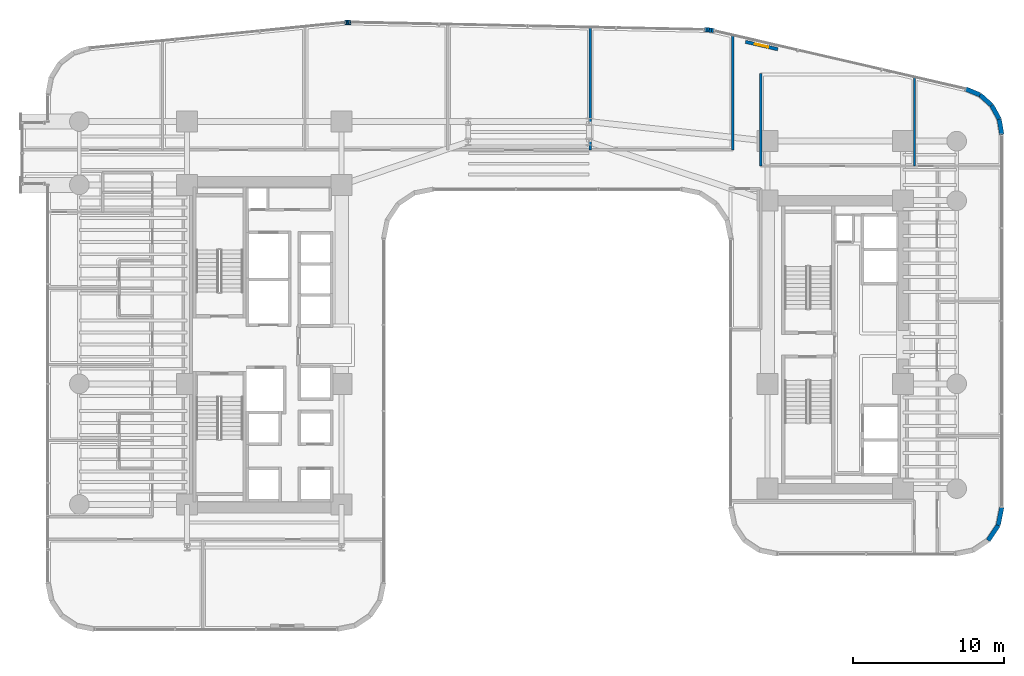
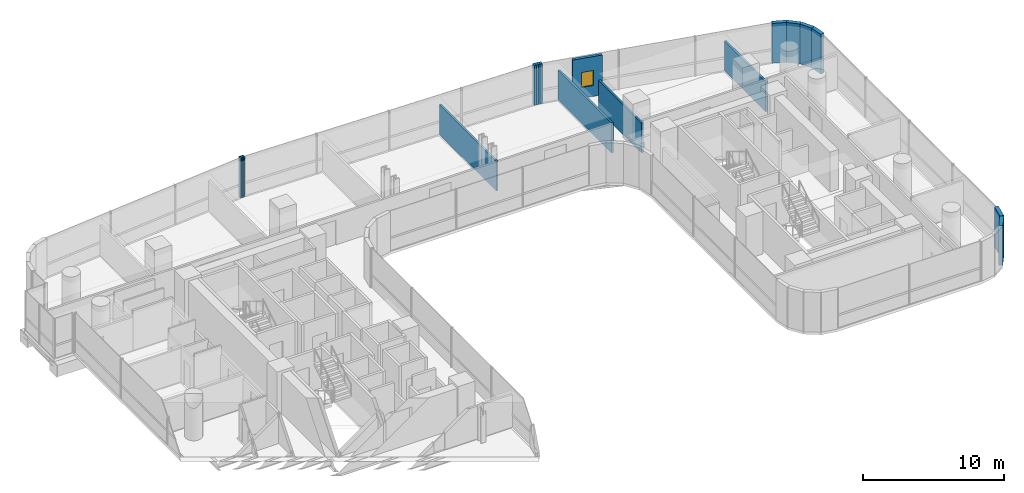
# One storey, part 35 of 40: 19 walls, 1 window, 1 opening.
"""IFC4 building model written with IfcOpenShell, lengths in metres."""

from ifc_helpers import new_model, si_unit, direction, frame, frame_2d, origin, place, context, subcontext, project, spatial, rectangle, extrude, material, layer, layer_set, type_object, element, fill, save


model = new_model("IFC4")

# Units and contexts
model_context = context("Model", 3, precision=1e-05, world=origin(), true_north=direction((0.0, 1.0)))
body_context = subcontext(model_context, "Body", "Model", "MODEL_VIEW")
ifc_project = project(units=[si_unit("LENGTHUNIT", "METRE"), si_unit("AREAUNIT", "SQUARE_METRE"), si_unit("VOLUMEUNIT", "CUBIC_METRE"), si_unit("PLANEANGLEUNIT", "RADIAN"), si_unit("MASSUNIT", "GRAM", prefix="KILO")], contexts=[model_context])

# Site, building, storey
site_placement = place(None, origin())
site = spatial("IfcSite", under=ifc_project, at=site_placement, CompositionType="ELEMENT")
building_placement = place(site_placement, origin())
building = spatial("IfcBuilding", under=site, at=building_placement, Name="Valdorenza Pilgrim Sanctuary Tower", CompositionType="ELEMENT")
storey_placement = place(building_placement, frame((0.0, 0.0, 81.5)))
storey = spatial("IfcBuildingStorey", under=building, at=storey_placement, Name="L20", CompositionType="ELEMENT", Elevation=81.5)

# Walls
ifc_material_1 = material(Name="Acoustic twin-stud gypsum partition", Category="gypsum")
ifc_layer_1 = layer(ifc_material_1, 0.159912109375, Name="Acoustic twin-stud gypsum partition")
ifc_layer_set_1 = layer_set([ifc_layer_1], Name="Acoustic twin-stud gypsum partition")
wall_type_1 = type_object("IfcWallType", Name="WAL-COR-160", PredefinedType="PARTITIONING", material=ifc_layer_set_1)
wall_1_placement = place(storey_placement, frame((13.550048828125, 12.919921875, 0.0), z_axis=(0.0, 0.0, 1.0), x_axis=(0.0, 1.0, 0.0)))
element("IfcWall", 1, at=wall_1_placement, inside=storey, type_object=wall_type_1, Name="L20 North Band East Closure", PredefinedType="PARTITIONING", context=body_context, shape_type="SweptSolid", body=[
    extrude(rectangle(XDim=7.609375, YDim=0.159912109375, at=frame_2d((3.8046875, 0.0))), origin(), (0.0, 0.0, 1.0), 2.5830078125),
])
wall_2_placement = place(storey_placement, frame((15.39990234375, 11.85009765625, 0.0), z_axis=(0.0, 0.0, 1.0), x_axis=(0.0, 1.0, 0.0)))
element("IfcWall", 2, at=wall_2_placement, inside=storey, type_object=wall_type_1, Name="L20 Wing B North West Wall", PredefinedType="PARTITIONING", context=body_context, shape_type="SweptSolid", body=[
    extrude(rectangle(XDim=6.14990234375, YDim=0.159912109375, at=frame_2d((3.074951171875, 0.0))), origin(), (0.0, 0.0, 1.0), 2.5830078125),
])
wall_3_placement = place(storey_placement, frame((25.60009765625, 11.85009765625, 0.0), z_axis=(0.0, 0.0, 1.0), x_axis=(0.0, 1.0, 0.0)))
element("IfcWall", 3, at=wall_3_placement, inside=storey, type_object=wall_type_1, Name="L20 Wing B North East Wall", PredefinedType="PARTITIONING", context=body_context, shape_type="SweptSolid", body=[
    extrude(rectangle(XDim=5.8984375, YDim=0.159912109375, at=frame_2d((2.94921875, 0.0))), origin(), (0.0, 0.0, 1.0), 2.5830078125),
])
ifc_material_2 = material(Name="Honed travertine limestone", Category="masonry")
ifc_layer_2 = layer(ifc_material_2, 0.300048828125, Name="Honed travertine limestone")
ifc_layer_set_2 = layer_set([ifc_layer_2], Name="Honed travertine limestone")
wall_type_2 = type_object("IfcWallType", Name="WAL-EXT-300", PredefinedType="SOLIDWALL", material=ifc_layer_set_2)
wall_4_placement = place(storey_placement, frame((-12.181884765625, 21.371337890625, 0.0), z_axis=(0.0, 0.0, 1.0), x_axis=(0.996527790842, 0.08326080759, 0.0)))
element("IfcWall", 4, at=wall_4_placement, inside=storey, type_object=wall_type_2, Name="L20 Rounded Wind-Corner Stone Pier 7", PredefinedType="SOLIDWALL", context=body_context, shape_type="SweptSolid", body=[
    extrude(rectangle(XDim=0.09375, YDim=0.300048828125, at=frame_2d((0.046875, 0.0))), origin(), (0.0, 0.0, 1.0), 3.4599609375),
])
wall_5_placement = place(storey_placement, frame((-12.08837890625, 21.379150390625, 0.0), z_axis=(0.0, 0.0, 1.0), x_axis=(0.998476480444, 0.055178963393, 0.0)))
element("IfcWall", 5, at=wall_5_placement, inside=storey, type_object=wall_type_2, Name="L20 Rounded Wind-Corner Stone Pier 8", PredefinedType="SOLIDWALL", context=body_context, shape_type="SweptSolid", body=[
    extrude(rectangle(XDim=0.093017578125, YDim=0.300048828125, at=frame_2d((0.04638671875, 0.0))), origin(), (0.0, 0.0, 1.0), 3.4599609375),
])
wall_6_placement = place(storey_placement, frame((-11.99560546875, 21.38427734375, 0.0), z_axis=(0.0, 0.0, 1.0), x_axis=(0.999722573757, 0.023553673204, 0.0)))
element("IfcWall", 6, at=wall_6_placement, inside=storey, type_object=wall_type_2, Name="L20 Rounded Wind-Corner Stone Pier 9", PredefinedType="SOLIDWALL", context=body_context, shape_type="SweptSolid", body=[
    extrude(rectangle(XDim=0.09326171875, YDim=0.300048828125, at=frame_2d((0.046630859375, 0.0))), origin(), (0.0, 0.0, 1.0), 3.4599609375),
])
wall_7_placement = place(storey_placement, frame((-11.90234375, 21.386474609375, 0.0), z_axis=(0.0, 0.0, 1.0), x_axis=(0.999986507273, -0.005194735103, 0.0)))
element("IfcWall", 7, at=wall_7_placement, inside=storey, type_object=wall_type_2, Name="L20 Rounded Wind-Corner Stone Pier 10", PredefinedType="SOLIDWALL", context=body_context, shape_type="SweptSolid", body=[
    extrude(rectangle(XDim=0.093994140625, YDim=0.300048828125, at=frame_2d((0.046875, 0.0))), origin(), (0.0, 0.0, 1.0), 3.4599609375),
])
wall_8_placement = place(storey_placement, frame((11.665771484375, 20.89697265625, 0.0), z_axis=(0.0, 0.0, 1.0), x_axis=(0.998885297239, -0.047203421059, 0.0)))
element("IfcWall", 8, at=wall_8_placement, inside=storey, type_object=wall_type_2, Name="L20 Rounded Wind-Corner Stone Pier 12", PredefinedType="SOLIDWALL", context=body_context, shape_type="SweptSolid", body=[
    extrude(rectangle(XDim=0.160400390625, YDim=0.300048828125, at=frame_2d((0.080078125, 0.0))), origin(), (0.0, 0.0, 1.0), 3.4599609375),
])
wall_9_placement = place(storey_placement, frame((11.825927734375, 20.889404296875, 0.0), z_axis=(0.0, 0.0, 1.0), x_axis=(0.995172891136, -0.098137234257, 0.0)))
element("IfcWall", 9, at=wall_9_placement, inside=storey, type_object=wall_type_2, Name="L20 Rounded Wind-Corner Stone Pier 13", PredefinedType="SOLIDWALL", context=body_context, shape_type="SweptSolid", body=[
    extrude(rectangle(XDim=0.1591796875, YDim=0.300048828125, at=frame_2d((0.07958984375, 0.0))), origin(), (0.0, 0.0, 1.0), 3.4599609375),
])
wall_10_placement = place(storey_placement, frame((11.984375, 20.873779296875, 0.0), z_axis=(0.0, 0.0, 1.0), x_axis=(0.988846069207, -0.148941100486, 0.0)))
element("IfcWall", 10, at=wall_10_placement, inside=storey, type_object=wall_type_2, Name="L20 Rounded Wind-Corner Stone Pier 14", PredefinedType="SOLIDWALL", context=body_context, shape_type="SweptSolid", body=[
    extrude(rectangle(XDim=0.158935546875, YDim=0.300048828125, at=frame_2d((0.07958984375, 0.0))), origin(), (0.0, 0.0, 1.0), 3.4599609375),
])
wall_11_placement = place(storey_placement, frame((12.1416015625, 20.85009765625, 0.0), z_axis=(0.0, 0.0, 1.0), x_axis=(0.979991950448, -0.19903712482, 0.0)))
element("IfcWall", 11, at=wall_11_placement, inside=storey, type_object=wall_type_2, Name="L20 Rounded Wind-Corner Stone Pier 15", PredefinedType="SOLIDWALL", context=body_context, shape_type="SweptSolid", body=[
    extrude(rectangle(XDim=0.16064453125, YDim=0.300048828125, at=frame_2d((0.080322265625, 0.0))), origin(), (0.0, 0.0, 1.0), 3.4599609375),
])

# Wall, opening, window
wall_12_placement = place(storey_placement, frame((14.388671875, 20.089599609375, 0.0), z_axis=(0.0, 0.0, 1.0), x_axis=(0.974400545997, -0.224818984875, 0.0)))
wall_12 = element("IfcWall", 12, at=wall_12_placement, inside=storey, type_object=wall_type_2, Name="L20 Operable Ventilation Sash Jamb Pier", PredefinedType="SOLIDWALL", context=body_context, shape_type="SweptSolid", body=[
    extrude(rectangle(XDim=2.2001953125, YDim=0.219970703125, at=frame_2d((1.10009765625, 0.0))), origin(), (0.0, 0.0, 1.0), 3.4599609375),
])
opening_placement = place(wall_12_placement, frame((0.64990234375, 0.0, 0.949951171875)))
opening = element("IfcOpeningElement", 13, at=opening_placement, cuts=wall_12, Name="Opening WN-OP1", PredefinedType="OPENING", context=body_context, shape_type="SweptSolid", body=[
    extrude(rectangle(XDim=0.89990234375, YDim=1.300048828125, at=frame_2d((0.449951171875, 0.64990234375))), frame((0.0, 0.125, 0.0), z_axis=(0.0, -1.0, 0.0), x_axis=(1.0, 0.0, 0.0)), (0.0, 0.0, 1.0), 0.249755859375),
])
ifc_material_3 = material(Name="Ceramic-fritted low-E IGU glazing", Category="glass")
window_type = type_object("IfcWindowType", Name="WIN-OPN-900", PartitioningType="SINGLE_PANEL", PredefinedType="WINDOW", material=ifc_material_3)
window_placement = place(opening_placement, origin())
window = element("IfcWindow", 14, at=window_placement, inside=storey, type_object=window_type, Name="L20 Parallel-Pop-Out Operable Facade Panel", OverallHeight=1.300048828125, OverallWidth=0.89990234375, PartitioningType="SINGLE_PANEL", PredefinedType="WINDOW", context=body_context, shape_type="SweptSolid", body=[
    extrude(rectangle(XDim=0.89990234375, YDim=1.300048828125, at=frame_2d((0.449951171875, 0.64990234375))), frame((0.0, 0.030029296875, 0.0), z_axis=(0.0, -1.0, 0.0), x_axis=(1.0, 0.0, 0.0)), (0.0, 0.0, 1.0), 0.06005859375),
])
fill(opening, window)

# Walls
wall_13_placement = place(storey_placement, frame((28.98583984375, 16.96728515625, 0.0), z_axis=(0.0, 0.0, 1.0), x_axis=(0.923083852684, -0.384598753136, 0.0)))
element("IfcWall", 15, at=wall_13_placement, inside=storey, type_object=wall_type_2, Name="L20 Rounded Wind-Corner Stone Pier 17", PredefinedType="SOLIDWALL", context=body_context, shape_type="SweptSolid", body=[
    extrude(rectangle(XDim=1.042236328125, YDim=0.300048828125, at=frame_2d((0.52099609375, 0.0))), origin(), (0.0, 0.0, 1.0), 3.4599609375),
])
wall_14_placement = place(storey_placement, frame((29.947998046875, 16.56640625, 0.0), z_axis=(0.0, 0.0, 1.0), x_axis=(0.744585645533, -0.66752694063, 0.0)))
element("IfcWall", 16, at=wall_14_placement, inside=storey, type_object=wall_type_2, Name="L20 Rounded Wind-Corner Stone Pier 18", PredefinedType="SOLIDWALL", context=body_context, shape_type="SweptSolid", body=[
    extrude(rectangle(XDim=1.032958984375, YDim=0.300048828125, at=frame_2d((0.5166015625, 0.0))), origin(), (0.0, 0.0, 1.0), 3.4599609375),
])
wall_15_placement = place(storey_placement, frame((30.717041015625, 15.876953125, 0.0), z_axis=(0.0, 0.0, 1.0), x_axis=(0.482971098131, -0.875636293429, 0.0)))
element("IfcWall", 17, at=wall_15_placement, inside=storey, type_object=wall_type_2, Name="L20 Rounded Wind-Corner Stone Pier 19", PredefinedType="SOLIDWALL", context=body_context, shape_type="SweptSolid", body=[
    extrude(rectangle(XDim=1.03271484375, YDim=0.300048828125, at=frame_2d((0.516357421875, 0.0))), origin(), (0.0, 0.0, 1.0), 3.4599609375),
])
wall_16_placement = place(storey_placement, frame((31.2158203125, 14.97265625, 0.0), z_axis=(0.0, 0.0, 1.0), x_axis=(0.167019462117, -0.985953598946, 0.0)))
element("IfcWall", 18, at=wall_16_placement, inside=storey, type_object=wall_type_2, Name="L20 Rounded Wind-Corner Stone Pier 20", PredefinedType="SOLIDWALL", context=body_context, shape_type="SweptSolid", body=[
    extrude(rectangle(XDim=1.042236328125, YDim=0.300048828125, at=frame_2d((0.52099609375, 0.0))), origin(), (0.0, 0.0, 1.0), 3.4599609375),
])
wall_17_placement = place(storey_placement, frame((31.389892578125, -10.789306640625, 0.0), z_axis=(0.0, 0.0, 1.0), x_axis=(-0.194996050505, -0.980804027463, 0.0)))
element("IfcWall", 19, at=wall_17_placement, inside=storey, type_object=wall_type_2, Name="L20 Rounded Wind-Corner Stone Pier 22", PredefinedType="SOLIDWALL", context=body_context, shape_type="SweptSolid", body=[
    extrude(rectangle(XDim=1.2158203125, YDim=0.300048828125, at=frame_2d((0.60791015625, 0.0))), origin(), (0.0, 0.0, 1.0), 3.4599609375),
])
wall_18_placement = place(storey_placement, frame((31.15283203125, -11.981689453125, 0.0), z_axis=(0.0, 0.0, 1.0), x_axis=(-0.555635100982, -0.831426265255, 0.0)))
element("IfcWall", 20, at=wall_18_placement, inside=storey, type_object=wall_type_2, Name="L20 Rounded Wind-Corner Stone Pier 23", PredefinedType="SOLIDWALL", context=body_context, shape_type="SweptSolid", body=[
    extrude(rectangle(XDim=1.204833984375, YDim=0.300048828125, at=frame_2d((0.6025390625, 0.0))), origin(), (0.0, 0.0, 1.0), 3.4599609375),
])
ifc_layer_3 = layer(ifc_material_1, 0.14990234375, Name="Acoustic twin-stud gypsum partition")
ifc_layer_set_3 = layer_set([ifc_layer_3], Name="Acoustic twin-stud gypsum partition")
wall_type_3 = type_object("IfcWallType", Name="WAL-UNT-150", PredefinedType="PARTITIONING", material=ifc_layer_set_3)
wall_19_placement = place(storey_placement, frame((4.092041015625, 12.919921875, 0.0), z_axis=(0.0, 0.0, 1.0), x_axis=(0.0, 1.0, 0.0)))
element("IfcWall", 21, at=wall_19_placement, inside=storey, type_object=wall_type_3, Name="L20 Theological Seminar Classroom L20-N5 Demising Wall", PredefinedType="PARTITIONING", context=body_context, shape_type="SweptSolid", body=[
    extrude(rectangle(XDim=8.134765625, YDim=0.14990234375, at=frame_2d((4.0673828125, 0.0))), origin(), (0.0, 0.0, 1.0), 2.5830078125),
])

save(model, "model.ifc")
